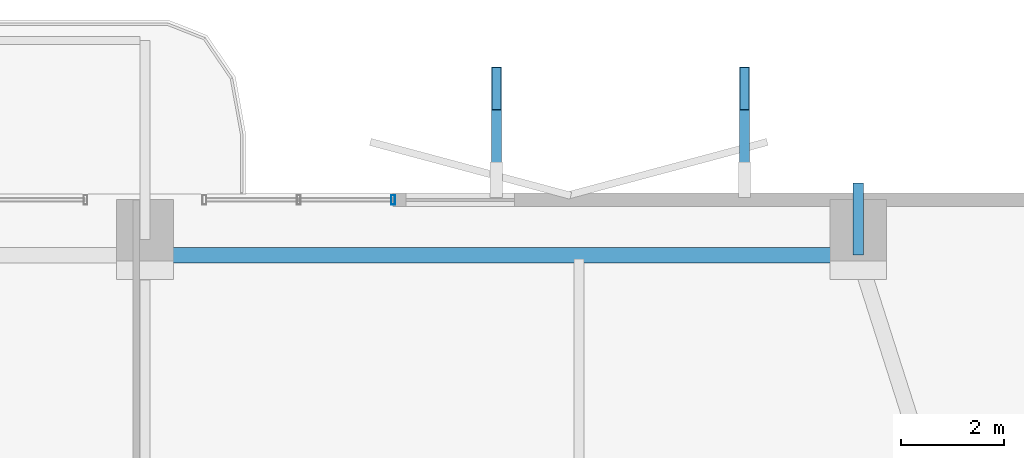
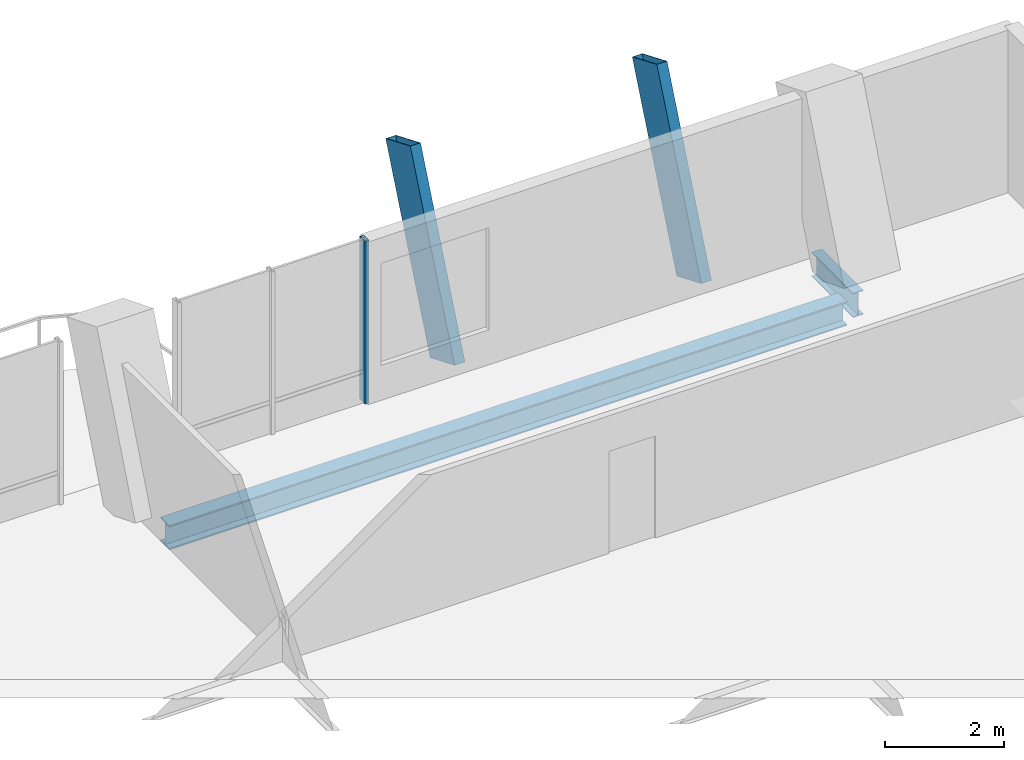
# One storey, part 16 of 24: 3 members, 2 beams, 1 element without a shape of its own.
"""IFC4 building model written with IfcOpenShell, lengths in metres."""

from ifc_helpers import new_model, si_unit, direction, frame, origin, origin_2d, place, context, subcontext, project, spatial, hollow_rectangle, i_section, extrude, material, layer, layer_set, material_profile, profile_set, type_object, element, aggregate, save


model = new_model("IFC4")

# Units and contexts
model_context = context("Model", 3, precision=1e-05, world=origin(), true_north=direction((0.0, 1.0)))
body_context = subcontext(model_context, "Body", "Model", "MODEL_VIEW")
ifc_project = project(units=[si_unit("LENGTHUNIT", "METRE"), si_unit("AREAUNIT", "SQUARE_METRE"), si_unit("VOLUMEUNIT", "CUBIC_METRE"), si_unit("PLANEANGLEUNIT", "RADIAN"), si_unit("MASSUNIT", "GRAM", prefix="KILO")], contexts=[model_context])

# Site, building, storey
site_placement = place(None, origin())
site = spatial("IfcSite", under=ifc_project, at=site_placement, CompositionType="ELEMENT")
building_placement = place(site_placement, origin())
building = spatial("IfcBuilding", under=site, at=building_placement, Name="Belovzor Exchange Tower", CompositionType="ELEMENT")
storey_placement = place(building_placement, frame((0.0, 0.0, 190.800048828125)))
storey = spatial("IfcBuildingStorey", under=building, at=storey_placement, Name="L47", CompositionType="ELEMENT", Elevation=190.800048828125)

# Beam
ifc_material_1 = material(Name="Steel S355", Category="steel")
ifc_material_profile_1 = material_profile(ifc_material_1, i_section(OverallWidth=0.199951171875, OverallDepth=0.5, WebThickness=0.01025390625, FlangeThickness=0.01611328125, at=origin_2d()))
ifc_profile_set_1 = profile_set([ifc_material_profile_1], Name="Steel S355")
beam_type_1 = type_object("IfcBeamType", Name="Planted Balcony Cantilever Beam IPE 500", PredefinedType="BEAM", material=ifc_profile_set_1)
beam_1_placement = place(storey_placement, frame((42.60009765625, 51.89990234375, -0.505126953125), z_axis=(0.0, 1.0, 0.0), x_axis=(-1.0, 0.0, 0.0)))
element("IfcBeam", 1, at=beam_1_placement, inside=storey, type_object=beam_type_1, Name="BC-500 Planted Balcony Cantilever Beam IPE 500", PredefinedType="BEAM", context=body_context, shape_type="SweptSolid", body=[
    extrude(i_section(OverallWidth=0.199951171875, OverallDepth=0.5, WebThickness=0.01025390625, FlangeThickness=0.01611328125, at=origin_2d()), origin(), (0.0, 0.0, 1.0), 1.400146484375),
])

# Members
ifc_material_2 = material(Name="Extruded Architectural Terracotta on Steel S355 Carrier", Category="masonry")
ifc_material_profile_2 = material_profile(ifc_material_2, hollow_rectangle(XDim=0.199951171875, YDim=0.89990234375, WallThickness=0.011962890625, at=origin_2d()))
ifc_profile_set_2 = profile_set([ifc_material_profile_2], Name="Extruded Architectural Terracotta on Steel S355 Carrier")
member_type_1 = type_object("IfcMemberType", Name="Sweeping Terracotta Baguette Fin Assembly 1250", PredefinedType="USERDEFINED", material=ifc_profile_set_2)
for number, where, z_axis, x_axis, name in (
    (2, (35.60009765625, 53.625, -0.255126953125), (0.0, 0.384162484071, 0.923265501268), (-1.0, 0.0, 0.0), "FIN-TC125 Terracotta Facade Fin L47 N3"),
    (3, (40.39990234375, 53.625, -0.255126953125), (0.0, 0.384162484071, 0.923265501268), (-1.0, 0.0, 0.0), "FIN-TC125 Terracotta Facade Fin L47 N4"),
):
    element("IfcMember", number, at=place(storey_placement, frame(where, z_axis=z_axis, x_axis=x_axis)), inside=storey, type_object=member_type_1, Name=name, ObjectType="FIN", PredefinedType="USERDEFINED", context=body_context, shape_type="SweptSolid", body=[
        extrude(hollow_rectangle(XDim=0.199951171875, YDim=0.89990234375, WallThickness=0.011962890625, at=origin_2d()), origin(), (0.0, 0.0, 1.0), 3.904541015625),
    ])

# Curtain wall, member
ifc_material_3 = material(Name="Anodised Aluminium Framing", Category="aluminium")
ifc_layer = layer(ifc_material_3, 0.179931640625)
ifc_layer_set = layer_set([ifc_layer], Name="Anodised Aluminium Framing")
curtain_wall_type = type_object("IfcCurtainWallType", Name="Recessed Loggia Low-Iron Triple-Glazed Curtain Wall", PredefinedType="NOTDEFINED", material=ifc_layer_set)
curtain_wall_placement = place(storey_placement, origin())
curtain_wall = element("IfcCurtainWall", 4, at=curtain_wall_placement, inside=storey, type_object=curtain_wall_type, Name="CW3 Recessed Loggia Low-Iron Triple-Glazed Curtain Wall L47", PredefinedType="NOTDEFINED")
ifc_material_4 = material(Name="Steel S355", Category="steel")
ifc_material_profile_3 = material_profile(ifc_material_4, hollow_rectangle(XDim=0.074951171875, YDim=0.179931640625, WallThickness=0.0048828125, at=origin_2d()))
ifc_profile_set_3 = profile_set([ifc_material_profile_3], Name="Steel S355")
member_type_2 = type_object("IfcMemberType", Name="Thermally Broken Curtain Wall Mullion 180x75", PredefinedType="MULLION", material=ifc_profile_set_3)
member_placement = place(storey_placement, frame((33.60009765625, 52.969970703125, 0.0), z_axis=(0.0, 0.0, 1.0), x_axis=(1.0, 0.0, 0.0)))
member = element("IfcMember", 5, at=member_placement, type_object=member_type_2, Name="CW-M180 Curtain Wall Mullion 3", PredefinedType="MULLION", context=body_context, shape_type="SweptSolid", body=[
    extrude(hollow_rectangle(XDim=0.074951171875, YDim=0.179931640625, WallThickness=0.0048828125, at=origin_2d()), origin(), (0.0, 0.0, 1.0), 3.349853515625),
])
aggregate(curtain_wall, [member])

# Beam
ifc_material_5 = material(Name="Steel S355", Category="steel")
ifc_material_profile_4 = material_profile(ifc_material_5, i_section(OverallWidth=0.300048828125, OverallDepth=0.5, WebThickness=0.014404296875, FlangeThickness=0.028076171875, at=origin_2d()))
ifc_profile_set_4 = profile_set([ifc_material_profile_4], Name="Steel S355")
beam_type_2 = type_object("IfcBeamType", Name="Zone 3 Waist Primary Girder HEB 500", PredefinedType="BEAM", material=ifc_profile_set_4)
beam_2_placement = place(storey_placement, frame((42.297119140625, 51.89990234375, -0.505126953125), z_axis=(-1.0, 0.0, 0.0), x_axis=(0.0, -1.0, 0.0)))
element("IfcBeam", 6, at=beam_2_placement, inside=storey, type_object=beam_type_2, Name="FG-Z3 Zone 3 Waist Primary Girder HEB 500", PredefinedType="BEAM", context=body_context, shape_type="SweptSolid", body=[
    extrude(i_section(OverallWidth=0.300048828125, OverallDepth=0.5, WebThickness=0.014404296875, FlangeThickness=0.028076171875, at=origin_2d()), origin(), (0.0, 0.0, 1.0), 13.195068359375),
])

save(model, "model.ifc")
